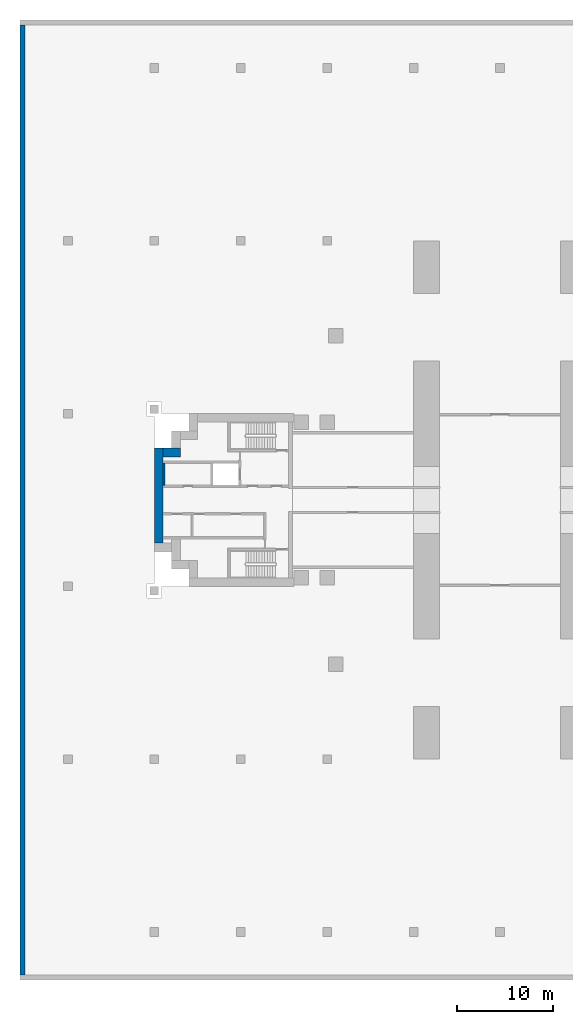
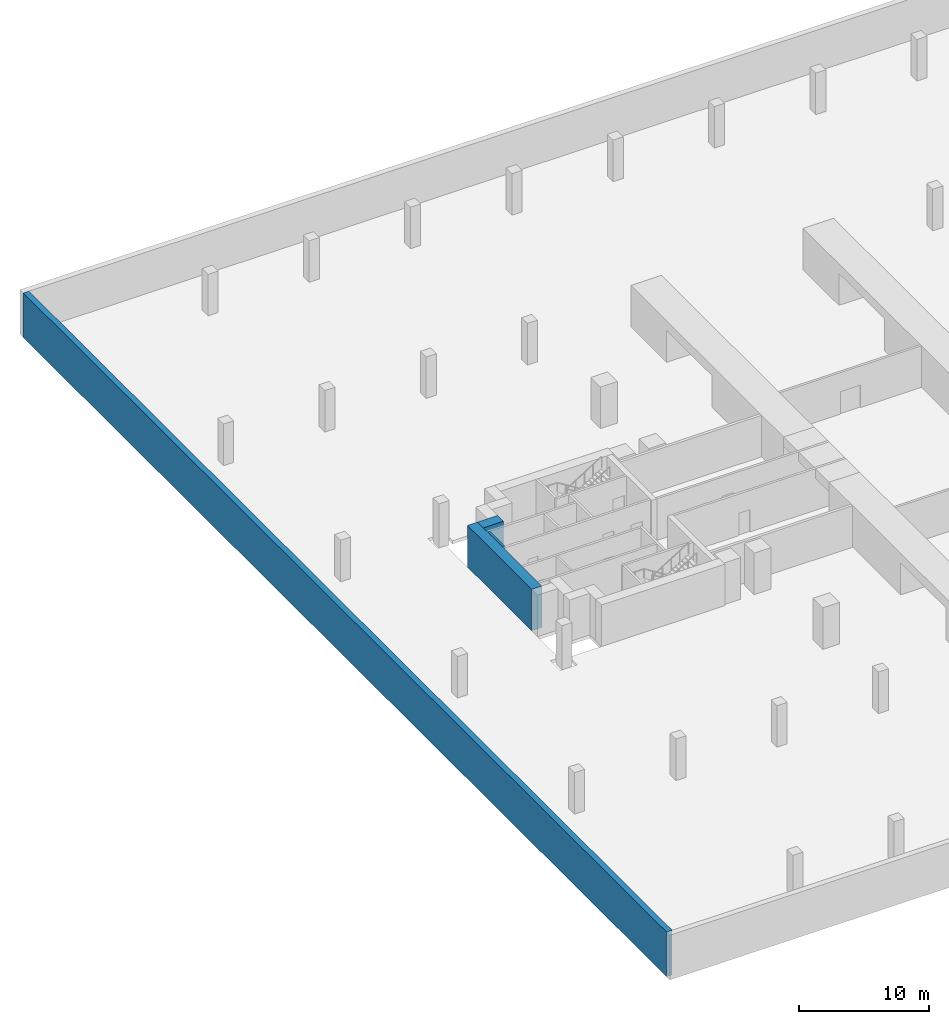
# One storey, part 3 of 8: 4 walls.
"""IFC4 building model written with IfcOpenShell, lengths in metres."""

from ifc_helpers import new_model, si_unit, direction, frame, frame_2d, origin, place, context, subcontext, project, spatial, rectangle, extrude, material, layer, layer_set, type_object, element, save


model = new_model("IFC4")

# Units and contexts
model_context = context("Model", 3, precision=1e-05, world=origin(), true_north=direction((0.0, 1.0)))
body_context = subcontext(model_context, "Body", "Model", "MODEL_VIEW")
ifc_project = project(units=[si_unit("LENGTHUNIT", "METRE"), si_unit("AREAUNIT", "SQUARE_METRE"), si_unit("VOLUMEUNIT", "CUBIC_METRE"), si_unit("PLANEANGLEUNIT", "RADIAN"), si_unit("MASSUNIT", "GRAM", prefix="KILO")], contexts=[model_context])

# Site, building, storey
site_placement = place(None, origin())
site = spatial("IfcSite", under=ifc_project, at=site_placement, CompositionType="ELEMENT")
building_placement = place(site_placement, origin())
building = spatial("IfcBuilding", under=site, at=building_placement, Name="Perihelion Cross Residences", CompositionType="ELEMENT")
storey_placement = place(building_placement, frame((0.0, 0.0, -12.89990234375)))
storey = spatial("IfcBuildingStorey", under=building, at=storey_placement, Name="B3", CompositionType="ELEMENT", Elevation=-12.89990234375)

# Walls
ifc_material_1 = material(Name="Concrete C40/50", Category="concrete")
ifc_layer_1 = layer(ifc_material_1, 0.5)
ifc_layer_set_1 = layer_set([ifc_layer_1], Name="Basement retaining wall 500 concrete C40/50")
wall_type_1 = type_object("IfcWallType", Name="Basement retaining wall 500 concrete C40/50", PredefinedType="SOLIDWALL", material=ifc_layer_set_1)
wall_1_placement = place(storey_placement, frame((-49.75, -49.5, -0.300048828125), z_axis=(0.0, 0.0, 1.0), x_axis=(0.0, 1.0, 0.0)))
element("IfcWall", 1, at=wall_1_placement, inside=storey, type_object=wall_type_1, Name="Wall SW1 B3 retaining west", PredefinedType="SOLIDWALL", context=body_context, shape_type="SweptSolid", body=[
    extrude(rectangle(XDim=99.0, YDim=0.5, at=frame_2d((49.5, 0.0))), origin(), (0.0, 0.0, 1.0), 4.199951171875),
])
ifc_material_2 = material(Name="Concrete C60/75", Category="concrete")
ifc_layer_2 = layer(ifc_material_2, 0.89990234375)
ifc_layer_set_2 = layer_set([ifc_layer_2], Name="Core wall, outer 900")
wall_type_2 = type_object("IfcWallType", Name="Core wall, outer 900", PredefinedType="SHEAR", material=ifc_layer_set_2)
wall_2_placement = place(storey_placement, frame((-35.550048828125, -4.5, 0.0), z_axis=(0.0, 0.0, 1.0), x_axis=(0.0, 1.0, 0.0)))
element("IfcWall", 2, at=wall_2_placement, inside=storey, type_object=wall_type_2, Name="West core core wall, outer", PredefinedType="SHEAR", context=body_context, shape_type="SweptSolid", body=[
    extrude(rectangle(XDim=9.89990234375, YDim=0.89990234375, at=frame_2d((4.949951171875, 0.0))), origin(), (0.0, 0.0, 1.0), 3.89990234375),
])
wall_3_placement = place(storey_placement, frame((-35.10009765625, 4.949951171875, 0.0), z_axis=(0.0, 0.0, 1.0), x_axis=(1.0, 0.0, 0.0)))
element("IfcWall", 3, at=wall_3_placement, inside=storey, type_object=wall_type_2, Name="West core core wall, outer", PredefinedType="SHEAR", context=body_context, shape_type="SweptSolid", body=[
    extrude(rectangle(XDim=1.800048828125, YDim=0.89990234375, at=frame_2d((0.89990234375, 0.0))), origin(), (0.0, 0.0, 1.0), 3.89990234375),
])
ifc_material_3 = material(Name="Concrete C50/60", Category="concrete")
ifc_layer_3 = layer(ifc_material_3, 0.199951171875)
ifc_layer_set_3 = layer_set([ifc_layer_3], Name="Shaft wall 200")
wall_type_3 = type_object("IfcWallType", Name="Shaft wall 200", PredefinedType="SOLIDWALL", material=ifc_layer_set_3)
wall_4_placement = place(storey_placement, frame((-35.0, 1.550048828125, 0.0), z_axis=(0.0, 0.0, 1.0), x_axis=(0.0, 1.0, 0.0)))
element("IfcWall", 4, at=wall_4_placement, inside=storey, type_object=wall_type_3, Name="West core shaft wall", PredefinedType="SOLIDWALL", context=body_context, shape_type="SweptSolid", body=[
    extrude(rectangle(XDim=2.300048828125, YDim=0.199951171875, at=frame_2d((1.14990234375, 0.0))), origin(), (0.0, 0.0, 1.0), 3.89990234375),
])

save(model, "model.ifc")
